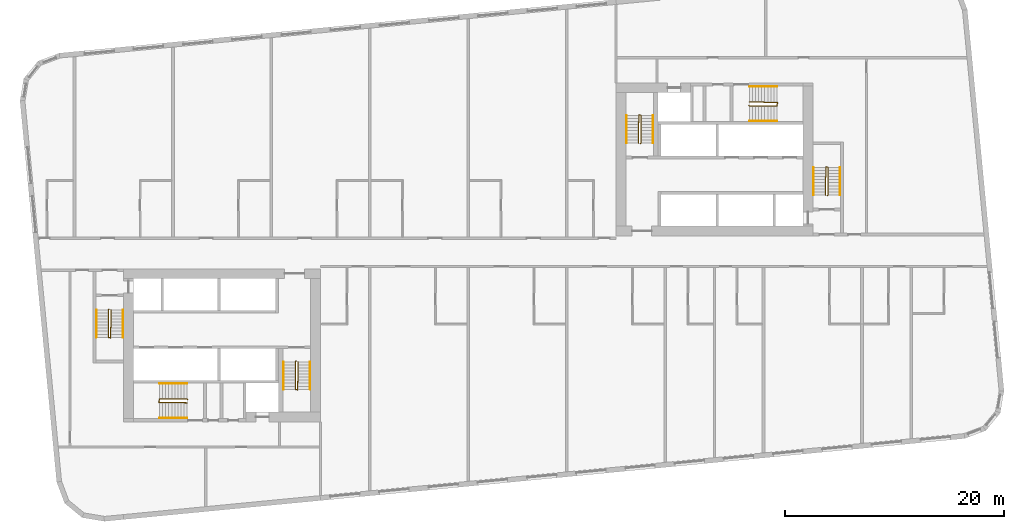
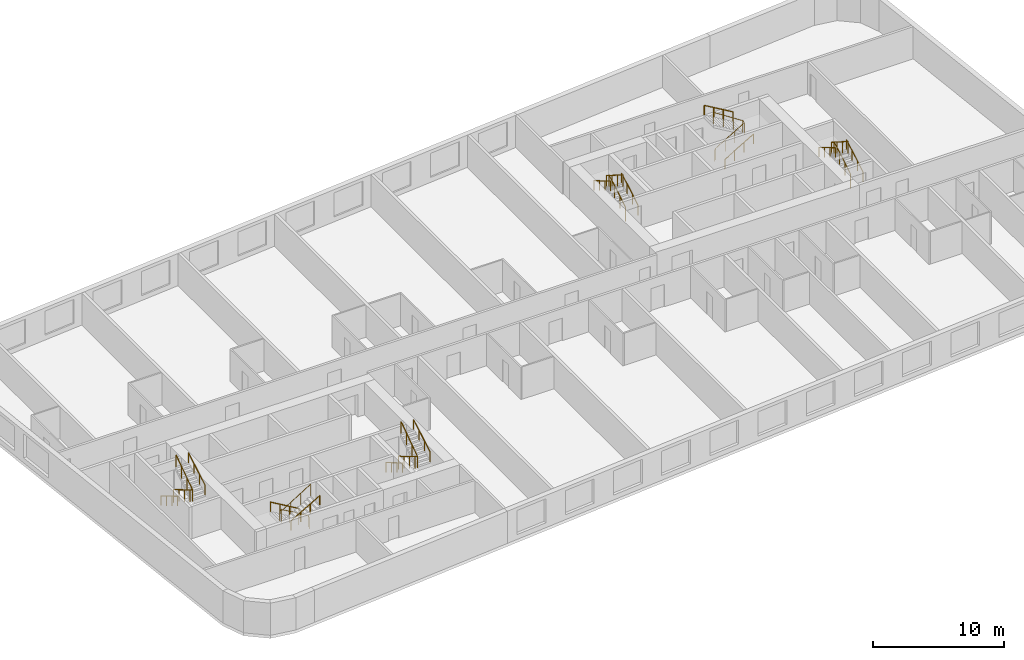
# One storey, part 12 of 12: 18 railings.
"""IFC4 building model written with IfcOpenShell, lengths in metres."""

from ifc_helpers import new_model, si_unit, direction, frame, origin, origin_2d, place, context, subcontext, project, spatial, circle, extrude, material, type_object, element, save


model = new_model("IFC4")

# Units and contexts
model_context = context("Model", 3, precision=1e-05, world=origin(), true_north=direction((0.0, 1.0)))
body_context = subcontext(model_context, "Body", "Model", "MODEL_VIEW")
ifc_project = project(units=[si_unit("LENGTHUNIT", "METRE"), si_unit("AREAUNIT", "SQUARE_METRE"), si_unit("VOLUMEUNIT", "CUBIC_METRE"), si_unit("PLANEANGLEUNIT", "RADIAN"), si_unit("MASSUNIT", "GRAM", prefix="KILO")], contexts=[model_context])

# Site, building, storey
site_placement = place(None, origin())
site = spatial("IfcSite", under=ifc_project, at=site_placement, CompositionType="ELEMENT")
building_placement = place(site_placement, origin())
building = spatial("IfcBuilding", under=site, at=building_placement, Name="Kajstack Hotel Tower", CompositionType="ELEMENT")
storey_placement = place(building_placement, frame((0.0, 0.0, 147.10009765625)))
storey = spatial("IfcBuildingStorey", under=building, at=storey_placement, Name="L34", CompositionType="ELEMENT", Elevation=147.10009765625)

# Railings
ifc_material = material(Name="Steel S355J2", Category="steel")
railing_type_1 = type_object("IfcRailingType", Name="Stair guard 1100", PredefinedType="GUARDRAIL", material=ifc_material)
railing_1_placement = place(storey_placement, frame((-32.85009765625, -5.199951171875, 0.0)))
element("IfcRailing", 1, at=railing_1_placement, inside=storey, type_object=railing_type_1, Name="L34 W1 stair guard 1", PredefinedType="GUARDRAIL", context=body_context, shape_type="SweptSolid", body=[
    extrude(circle(Radius=0.02392578125, at=origin_2d()), frame((0.0, 0.0, 1.076171875), z_axis=(-0.277797701265, -0.279159454702, 0.919183570361), x_axis=(0.708833529934, -0.705375805398, 0.0)), (0.0, 0.0, 1.0), 0.17919921875),
    extrude(circle(Radius=0.02392578125, at=origin_2d()), frame((-0.0498046875, -0.050048828125, 1.24072265625), z_axis=(0.0, -0.86152411907, 0.507716645641), x_axis=(1.0, 0.0, 0.0)), (0.0, 0.0, 1.0), 2.925048828125),
    extrude(circle(Radius=0.02392578125, at=origin_2d()), frame((-0.0498046875, -2.570068359375, 2.72607421875), z_axis=(0.970072785993, -0.242814311512, 0.0), x_axis=(0.242814311512, 0.970072785993, 0.0)), (0.0, 0.0, 1.0), 0.2060546875),
    extrude(circle(Radius=0.02392578125, at=origin_2d()), frame((0.150146484375, -2.6201171875, 2.72607421875), z_axis=(0.016385308676, 0.841405582595, 0.540155687962), x_axis=(-0.999810440751, 0.019470042781, 0.0)), (0.0, 0.0, 1.0), 3.054443359375),
    extrude(circle(Radius=0.02099609375, at=origin_2d()), origin(), (0.0, 0.0, 1.0), 1.052001953125),
    extrude(circle(Radius=0.02099609375, at=origin_2d()), frame((-0.0498046875, -0.050048828125, 0.164794921875)), (0.0, 0.0, 1.0), 1.052001953125),
    extrude(circle(Radius=0.02099609375, at=origin_2d()), frame((-0.0498046875, -0.89013671875, 0.659912109375)), (0.0, 0.0, 1.0), 1.052001953125),
    extrude(circle(Radius=0.02099609375, at=origin_2d()), frame((-0.0498046875, -1.72998046875, 1.15478515625)), (0.0, 0.0, 1.0), 1.052001953125),
    extrude(circle(Radius=0.02099609375, at=origin_2d()), frame((-0.0498046875, -2.570068359375, 1.64990234375)), (0.0, 0.0, 1.0), 1.052001953125),
    extrude(circle(Radius=0.02099609375, at=origin_2d()), frame((0.150146484375, -2.6201171875, 1.64990234375)), (0.0, 0.0, 1.0), 1.052001953125),
    extrude(circle(Radius=0.02099609375, at=origin_2d()), frame((0.166748046875, -1.763427734375, 2.199951171875)), (0.0, 0.0, 1.0), 1.052001953125),
    extrude(circle(Radius=0.02099609375, at=origin_2d()), frame((0.18359375, -0.90673828125, 2.749755859375)), (0.0, 0.0, 1.0), 1.052001953125),
    extrude(circle(Radius=0.02099609375, at=origin_2d()), frame((0.2001953125, -0.050048828125, 3.2998046875)), (0.0, 0.0, 1.0), 1.052001953125),
])
railing_2_placement = place(storey_placement, frame((-15.75, -9.949951171875, 0.0)))
element("IfcRailing", 2, at=railing_2_placement, inside=storey, type_object=railing_type_1, Name="L34 W2 stair guard 1", PredefinedType="GUARDRAIL", context=body_context, shape_type="SweptSolid", body=[
    extrude(circle(Radius=0.02392578125, at=origin_2d()), frame((0.0, 0.0, 1.076171875), z_axis=(-0.279053652268, -0.279053652268, 0.918835196492), x_axis=(0.707106781187, -0.707106781187, 0.0)), (0.0, 0.0, 1.0), 0.179443359375),
    extrude(circle(Radius=0.02392578125, at=origin_2d()), frame((-0.050048828125, -0.050048828125, 1.24072265625), z_axis=(0.0, -0.86152411907, 0.507716645641), x_axis=(1.0, 0.0, 0.0)), (0.0, 0.0, 1.0), 2.925048828125),
    extrude(circle(Radius=0.02392578125, at=origin_2d()), frame((-0.050048828125, -2.570068359375, 2.72607421875), z_axis=(0.970072785993, -0.242814311512, 0.0), x_axis=(0.242814311512, 0.970072785993, 0.0)), (0.0, 0.0, 1.0), 0.2060546875),
    extrude(circle(Radius=0.02392578125, at=origin_2d()), frame((0.14990234375, -2.6201171875, 2.72607421875), z_axis=(0.016385308676, 0.841405582595, 0.540155687962), x_axis=(-0.999810440751, 0.019470042781, 0.0)), (0.0, 0.0, 1.0), 3.054443359375),
    extrude(circle(Radius=0.02099609375, at=origin_2d()), origin(), (0.0, 0.0, 1.0), 1.052001953125),
    extrude(circle(Radius=0.02099609375, at=origin_2d()), frame((-0.050048828125, -0.050048828125, 0.164794921875)), (0.0, 0.0, 1.0), 1.052001953125),
    extrude(circle(Radius=0.02099609375, at=origin_2d()), frame((-0.050048828125, -0.89013671875, 0.659912109375)), (0.0, 0.0, 1.0), 1.052001953125),
    extrude(circle(Radius=0.02099609375, at=origin_2d()), frame((-0.050048828125, -1.72998046875, 1.15478515625)), (0.0, 0.0, 1.0), 1.052001953125),
    extrude(circle(Radius=0.02099609375, at=origin_2d()), frame((-0.050048828125, -2.570068359375, 1.64990234375)), (0.0, 0.0, 1.0), 1.052001953125),
    extrude(circle(Radius=0.02099609375, at=origin_2d()), frame((0.14990234375, -2.6201171875, 1.64990234375)), (0.0, 0.0, 1.0), 1.052001953125),
    extrude(circle(Radius=0.02099609375, at=origin_2d()), frame((0.16650390625, -1.763427734375, 2.199951171875)), (0.0, 0.0, 1.0), 1.052001953125),
    extrude(circle(Radius=0.02099609375, at=origin_2d()), frame((0.183349609375, -0.90673828125, 2.749755859375)), (0.0, 0.0, 1.0), 1.052001953125),
    extrude(circle(Radius=0.02099609375, at=origin_2d()), frame((0.199951171875, -0.050048828125, 3.2998046875)), (0.0, 0.0, 1.0), 1.052001953125),
])
railing_3_placement = place(storey_placement, frame((-25.64990234375, -13.449951171875, 0.0)))
element("IfcRailing", 3, at=railing_3_placement, inside=storey, type_object=railing_type_1, Name="L34 W3 stair guard 1", PredefinedType="GUARDRAIL", context=body_context, shape_type="SweptSolid", body=[
    extrude(circle(Radius=0.02392578125, at=origin_2d()), frame((0.0, 0.0, 1.076171875), z_axis=(-0.279053652268, 0.279053652268, 0.918835196492), x_axis=(-0.707106781187, -0.707106781187, 0.0)), (0.0, 0.0, 1.0), 0.179443359375),
    extrude(circle(Radius=0.02392578125, at=origin_2d()), frame((-0.050048828125, 0.050048828125, 1.24072265625), z_axis=(-0.86152411907, 0.0, 0.507716645641), x_axis=(0.0, -1.0, 0.0)), (0.0, 0.0, 1.0), 2.925048828125),
    extrude(circle(Radius=0.02392578125, at=origin_2d()), frame((-2.570068359375, 0.050048828125, 2.72607421875), z_axis=(-0.164529134168, -0.986372223864, 0.0), x_axis=(0.986372223864, -0.164529134168, 0.0)), (0.0, 0.0, 1.0), 0.30419921875),
    extrude(circle(Radius=0.02392578125, at=origin_2d()), frame((-2.6201171875, -0.25, 2.72607421875), z_axis=(0.841405582595, -0.016385308676, 0.540155687962), x_axis=(0.019470042781, 0.999810440751, 0.0)), (0.0, 0.0, 1.0), 3.054443359375),
    extrude(circle(Radius=0.02099609375, at=origin_2d()), origin(), (0.0, 0.0, 1.0), 1.052001953125),
    extrude(circle(Radius=0.02099609375, at=origin_2d()), frame((-0.050048828125, 0.050048828125, 0.164794921875)), (0.0, 0.0, 1.0), 1.052001953125),
    extrude(circle(Radius=0.02099609375, at=origin_2d()), frame((-0.89013671875, 0.050048828125, 0.659912109375)), (0.0, 0.0, 1.0), 1.052001953125),
    extrude(circle(Radius=0.02099609375, at=origin_2d()), frame((-1.72998046875, 0.050048828125, 1.15478515625)), (0.0, 0.0, 1.0), 1.052001953125),
    extrude(circle(Radius=0.02099609375, at=origin_2d()), frame((-2.570068359375, 0.050048828125, 1.64990234375)), (0.0, 0.0, 1.0), 1.052001953125),
    extrude(circle(Radius=0.02099609375, at=origin_2d()), frame((-2.6201171875, -0.25, 1.64990234375)), (0.0, 0.0, 1.0), 1.052001953125),
    extrude(circle(Radius=0.02099609375, at=origin_2d()), frame((-1.763427734375, -0.2666015625, 2.199951171875)), (0.0, 0.0, 1.0), 1.052001953125),
    extrude(circle(Radius=0.02099609375, at=origin_2d()), frame((-0.90673828125, -0.283447265625, 2.749755859375)), (0.0, 0.0, 1.0), 1.052001953125),
    extrude(circle(Radius=0.02099609375, at=origin_2d()), frame((-0.050048828125, -0.300048828125, 3.2998046875)), (0.0, 0.0, 1.0), 1.052001953125),
])
railing_4_placement = place(storey_placement, frame((32.85009765625, 5.199951171875, 0.0)))
element("IfcRailing", 4, at=railing_4_placement, inside=storey, type_object=railing_type_1, Name="L34 E1 stair guard 1", PredefinedType="GUARDRAIL", context=body_context, shape_type="SweptSolid", body=[
    extrude(circle(Radius=0.02392578125, at=origin_2d()), frame((0.0, 0.0, 1.076171875), z_axis=(0.277797701265, 0.279159454702, 0.919183570361), x_axis=(-0.708833529934, 0.705375805398, 0.0)), (0.0, 0.0, 1.0), 0.17919921875),
    extrude(circle(Radius=0.02392578125, at=origin_2d()), frame((0.0498046875, 0.050048828125, 1.24072265625), z_axis=(0.0, 0.86152411907, 0.507716645641), x_axis=(-1.0, 0.0, 0.0)), (0.0, 0.0, 1.0), 2.925048828125),
    extrude(circle(Radius=0.02392578125, at=origin_2d()), frame((0.0498046875, 2.570068359375, 2.72607421875), z_axis=(-0.970072785993, 0.242814311512, 0.0), x_axis=(-0.242814311512, -0.970072785993, 0.0)), (0.0, 0.0, 1.0), 0.2060546875),
    extrude(circle(Radius=0.02392578125, at=origin_2d()), frame((-0.150146484375, 2.6201171875, 2.72607421875), z_axis=(-0.016385308676, -0.841405582595, 0.540155687962), x_axis=(0.999810440751, -0.019470042781, 0.0)), (0.0, 0.0, 1.0), 3.054443359375),
    extrude(circle(Radius=0.02099609375, at=origin_2d()), origin(), (0.0, 0.0, 1.0), 1.052001953125),
    extrude(circle(Radius=0.02099609375, at=origin_2d()), frame((0.0498046875, 0.050048828125, 0.164794921875)), (0.0, 0.0, 1.0), 1.052001953125),
    extrude(circle(Radius=0.02099609375, at=origin_2d()), frame((0.0498046875, 0.89013671875, 0.659912109375)), (0.0, 0.0, 1.0), 1.052001953125),
    extrude(circle(Radius=0.02099609375, at=origin_2d()), frame((0.0498046875, 1.72998046875, 1.15478515625)), (0.0, 0.0, 1.0), 1.052001953125),
    extrude(circle(Radius=0.02099609375, at=origin_2d()), frame((0.0498046875, 2.570068359375, 1.64990234375)), (0.0, 0.0, 1.0), 1.052001953125),
    extrude(circle(Radius=0.02099609375, at=origin_2d()), frame((-0.150146484375, 2.6201171875, 1.64990234375)), (0.0, 0.0, 1.0), 1.052001953125),
    extrude(circle(Radius=0.02099609375, at=origin_2d()), frame((-0.166748046875, 1.763427734375, 2.199951171875)), (0.0, 0.0, 1.0), 1.052001953125),
    extrude(circle(Radius=0.02099609375, at=origin_2d()), frame((-0.18359375, 0.90673828125, 2.749755859375)), (0.0, 0.0, 1.0), 1.052001953125),
    extrude(circle(Radius=0.02099609375, at=origin_2d()), frame((-0.2001953125, 0.050048828125, 3.2998046875)), (0.0, 0.0, 1.0), 1.052001953125),
])
railing_5_placement = place(storey_placement, frame((15.75, 9.949951171875, 0.0)))
element("IfcRailing", 5, at=railing_5_placement, inside=storey, type_object=railing_type_1, Name="L34 E2 stair guard 1", PredefinedType="GUARDRAIL", context=body_context, shape_type="SweptSolid", body=[
    extrude(circle(Radius=0.02392578125, at=origin_2d()), frame((0.0, 0.0, 1.076171875), z_axis=(0.279053652268, 0.279053652268, 0.918835196492), x_axis=(-0.707106781187, 0.707106781187, 0.0)), (0.0, 0.0, 1.0), 0.179443359375),
    extrude(circle(Radius=0.02392578125, at=origin_2d()), frame((0.050048828125, 0.050048828125, 1.24072265625), z_axis=(0.0, 0.86152411907, 0.507716645641), x_axis=(-1.0, 0.0, 0.0)), (0.0, 0.0, 1.0), 2.925048828125),
    extrude(circle(Radius=0.02392578125, at=origin_2d()), frame((0.050048828125, 2.570068359375, 2.72607421875), z_axis=(-0.970072785993, 0.242814311512, 0.0), x_axis=(-0.242814311512, -0.970072785993, 0.0)), (0.0, 0.0, 1.0), 0.2060546875),
    extrude(circle(Radius=0.02392578125, at=origin_2d()), frame((-0.14990234375, 2.6201171875, 2.72607421875), z_axis=(-0.016385308676, -0.841405582595, 0.540155687962), x_axis=(0.999810440751, -0.019470042781, 0.0)), (0.0, 0.0, 1.0), 3.054443359375),
    extrude(circle(Radius=0.02099609375, at=origin_2d()), origin(), (0.0, 0.0, 1.0), 1.052001953125),
    extrude(circle(Radius=0.02099609375, at=origin_2d()), frame((0.050048828125, 0.050048828125, 0.164794921875)), (0.0, 0.0, 1.0), 1.052001953125),
    extrude(circle(Radius=0.02099609375, at=origin_2d()), frame((0.050048828125, 0.89013671875, 0.659912109375)), (0.0, 0.0, 1.0), 1.052001953125),
    extrude(circle(Radius=0.02099609375, at=origin_2d()), frame((0.050048828125, 1.72998046875, 1.15478515625)), (0.0, 0.0, 1.0), 1.052001953125),
    extrude(circle(Radius=0.02099609375, at=origin_2d()), frame((0.050048828125, 2.570068359375, 1.64990234375)), (0.0, 0.0, 1.0), 1.052001953125),
    extrude(circle(Radius=0.02099609375, at=origin_2d()), frame((-0.14990234375, 2.6201171875, 1.64990234375)), (0.0, 0.0, 1.0), 1.052001953125),
    extrude(circle(Radius=0.02099609375, at=origin_2d()), frame((-0.16650390625, 1.763427734375, 2.199951171875)), (0.0, 0.0, 1.0), 1.052001953125),
    extrude(circle(Radius=0.02099609375, at=origin_2d()), frame((-0.183349609375, 0.90673828125, 2.749755859375)), (0.0, 0.0, 1.0), 1.052001953125),
    extrude(circle(Radius=0.02099609375, at=origin_2d()), frame((-0.199951171875, 0.050048828125, 3.2998046875)), (0.0, 0.0, 1.0), 1.052001953125),
])
railing_6_placement = place(storey_placement, frame((25.64990234375, 13.449951171875, 0.0)))
element("IfcRailing", 6, at=railing_6_placement, inside=storey, type_object=railing_type_1, Name="L34 E3 stair guard 1", PredefinedType="GUARDRAIL", context=body_context, shape_type="SweptSolid", body=[
    extrude(circle(Radius=0.02392578125, at=origin_2d()), frame((0.0, 0.0, 1.076171875), z_axis=(0.279053652268, -0.279053652268, 0.918835196492), x_axis=(0.707106781187, 0.707106781187, 0.0)), (0.0, 0.0, 1.0), 0.179443359375),
    extrude(circle(Radius=0.02392578125, at=origin_2d()), frame((0.050048828125, -0.050048828125, 1.24072265625), z_axis=(0.86152411907, 0.0, 0.507716645641), x_axis=(0.0, 1.0, 0.0)), (0.0, 0.0, 1.0), 2.925048828125),
    extrude(circle(Radius=0.02392578125, at=origin_2d()), frame((2.570068359375, -0.050048828125, 2.72607421875), z_axis=(0.164529134168, 0.986372223864, 0.0), x_axis=(-0.986372223864, 0.164529134168, 0.0)), (0.0, 0.0, 1.0), 0.30419921875),
    extrude(circle(Radius=0.02392578125, at=origin_2d()), frame((2.6201171875, 0.25, 2.72607421875), z_axis=(-0.841405582595, 0.016385308676, 0.540155687962), x_axis=(-0.019470042781, -0.999810440751, 0.0)), (0.0, 0.0, 1.0), 3.054443359375),
    extrude(circle(Radius=0.02099609375, at=origin_2d()), origin(), (0.0, 0.0, 1.0), 1.052001953125),
    extrude(circle(Radius=0.02099609375, at=origin_2d()), frame((0.050048828125, -0.050048828125, 0.164794921875)), (0.0, 0.0, 1.0), 1.052001953125),
    extrude(circle(Radius=0.02099609375, at=origin_2d()), frame((0.89013671875, -0.050048828125, 0.659912109375)), (0.0, 0.0, 1.0), 1.052001953125),
    extrude(circle(Radius=0.02099609375, at=origin_2d()), frame((1.72998046875, -0.050048828125, 1.15478515625)), (0.0, 0.0, 1.0), 1.052001953125),
    extrude(circle(Radius=0.02099609375, at=origin_2d()), frame((2.570068359375, -0.050048828125, 1.64990234375)), (0.0, 0.0, 1.0), 1.052001953125),
    extrude(circle(Radius=0.02099609375, at=origin_2d()), frame((2.6201171875, 0.25, 1.64990234375)), (0.0, 0.0, 1.0), 1.052001953125),
    extrude(circle(Radius=0.02099609375, at=origin_2d()), frame((1.763427734375, 0.2666015625, 2.199951171875)), (0.0, 0.0, 1.0), 1.052001953125),
    extrude(circle(Radius=0.02099609375, at=origin_2d()), frame((0.90673828125, 0.283447265625, 2.749755859375)), (0.0, 0.0, 1.0), 1.052001953125),
    extrude(circle(Radius=0.02099609375, at=origin_2d()), frame((0.050048828125, 0.300048828125, 3.2998046875)), (0.0, 0.0, 1.0), 1.052001953125),
])
railing_type_2 = type_object("IfcRailingType", Name="Stair handrail 900", PredefinedType="HANDRAIL", material=ifc_material)
railing_7_placement = place(storey_placement, frame((-34.0, -5.25, 0.164794921875)))
element("IfcRailing", 7, at=railing_7_placement, inside=storey, type_object=railing_type_2, Name="L34 W1 stair handrail 1", PredefinedType="HANDRAIL", context=body_context, shape_type="SweptSolid", body=[
    extrude(circle(Radius=0.02392578125, at=origin_2d()), frame((0.0, 0.0, 0.8759765625), z_axis=(0.0, -0.86152411907, 0.507716645641), x_axis=(1.0, 0.0, 0.0)), (0.0, 0.0, 1.0), 2.925048828125),
    extrude(circle(Radius=0.02099609375, at=origin_2d()), origin(), (0.0, 0.0, 1.0), 0.851806640625),
    extrude(circle(Radius=0.02099609375, at=origin_2d()), frame((0.0, -0.840087890625, 0.4951171875)), (0.0, 0.0, 1.0), 0.851806640625),
    extrude(circle(Radius=0.02099609375, at=origin_2d()), frame((0.0, -1.679931640625, 0.989990234375)), (0.0, 0.0, 1.0), 0.851806640625),
    extrude(circle(Radius=0.02099609375, at=origin_2d()), frame((0.0, -2.52001953125, 1.485107421875)), (0.0, 0.0, 1.0), 0.851806640625),
])
railing_8_placement = place(storey_placement, frame((-31.550048828125, -7.77001953125, 1.81494140625)))
element("IfcRailing", 8, at=railing_8_placement, inside=storey, type_object=railing_type_2, Name="L34 W1 stair handrail 2", PredefinedType="HANDRAIL", context=body_context, shape_type="SweptSolid", body=[
    extrude(circle(Radius=0.02392578125, at=origin_2d()), frame((0.0, 0.0, 0.8759765625), z_axis=(0.0, 0.861560626758, 0.507654692109), x_axis=(-1.0, 0.0, 0.0)), (0.0, 0.0, 1.0), 2.925048828125),
    extrude(circle(Radius=0.02099609375, at=origin_2d()), origin(), (0.0, 0.0, 1.0), 0.851806640625),
    extrude(circle(Radius=0.02099609375, at=origin_2d()), frame((0.0, 0.840087890625, 0.494873046875)), (0.0, 0.0, 1.0), 0.851806640625),
    extrude(circle(Radius=0.02099609375, at=origin_2d()), frame((0.0, 1.679931640625, 0.989990234375)), (0.0, 0.0, 1.0), 0.851806640625),
    extrude(circle(Radius=0.02099609375, at=origin_2d()), frame((0.0, 2.52001953125, 1.48486328125)), (0.0, 0.0, 1.0), 0.851806640625),
])
railing_9_placement = place(storey_placement, frame((-16.89990234375, -10.0, 0.164794921875)))
element("IfcRailing", 9, at=railing_9_placement, inside=storey, type_object=railing_type_2, Name="L34 W2 stair handrail 1", PredefinedType="HANDRAIL", context=body_context, shape_type="SweptSolid", body=[
    extrude(circle(Radius=0.02392578125, at=origin_2d()), frame((0.0, 0.0, 0.8759765625), z_axis=(0.0, -0.86152411907, 0.507716645641), x_axis=(1.0, 0.0, 0.0)), (0.0, 0.0, 1.0), 2.925048828125),
    extrude(circle(Radius=0.02099609375, at=origin_2d()), origin(), (0.0, 0.0, 1.0), 0.851806640625),
    extrude(circle(Radius=0.02099609375, at=origin_2d()), frame((0.0, -0.840087890625, 0.4951171875)), (0.0, 0.0, 1.0), 0.851806640625),
    extrude(circle(Radius=0.02099609375, at=origin_2d()), frame((0.0, -1.679931640625, 0.989990234375)), (0.0, 0.0, 1.0), 0.851806640625),
    extrude(circle(Radius=0.02099609375, at=origin_2d()), frame((0.0, -2.52001953125, 1.485107421875)), (0.0, 0.0, 1.0), 0.851806640625),
])
railing_10_placement = place(storey_placement, frame((-14.449951171875, -12.52001953125, 1.81494140625)))
element("IfcRailing", 10, at=railing_10_placement, inside=storey, type_object=railing_type_2, Name="L34 W2 stair handrail 2", PredefinedType="HANDRAIL", context=body_context, shape_type="SweptSolid", body=[
    extrude(circle(Radius=0.02392578125, at=origin_2d()), frame((0.0, 0.0, 0.8759765625), z_axis=(0.0, 0.861560626758, 0.507654692109), x_axis=(-1.0, 0.0, 0.0)), (0.0, 0.0, 1.0), 2.925048828125),
    extrude(circle(Radius=0.02099609375, at=origin_2d()), origin(), (0.0, 0.0, 1.0), 0.851806640625),
    extrude(circle(Radius=0.02099609375, at=origin_2d()), frame((0.0, 0.840087890625, 0.494873046875)), (0.0, 0.0, 1.0), 0.851806640625),
    extrude(circle(Radius=0.02099609375, at=origin_2d()), frame((0.0, 1.679931640625, 0.989990234375)), (0.0, 0.0, 1.0), 0.851806640625),
    extrude(circle(Radius=0.02099609375, at=origin_2d()), frame((0.0, 2.52001953125, 1.48486328125)), (0.0, 0.0, 1.0), 0.851806640625),
])
railing_11_placement = place(storey_placement, frame((-25.699951171875, -12.0, 0.164794921875)))
element("IfcRailing", 11, at=railing_11_placement, inside=storey, type_object=railing_type_2, Name="L34 W3 stair handrail 1", PredefinedType="HANDRAIL", context=body_context, shape_type="SweptSolid", body=[
    extrude(circle(Radius=0.02392578125, at=origin_2d()), frame((0.0, 0.0, 0.8759765625), z_axis=(-0.86152411907, 0.0, 0.507716645641), x_axis=(0.0, -1.0, 0.0)), (0.0, 0.0, 1.0), 2.925048828125),
    extrude(circle(Radius=0.02099609375, at=origin_2d()), origin(), (0.0, 0.0, 1.0), 0.851806640625),
    extrude(circle(Radius=0.02099609375, at=origin_2d()), frame((-0.840087890625, 0.0, 0.4951171875)), (0.0, 0.0, 1.0), 0.851806640625),
    extrude(circle(Radius=0.02099609375, at=origin_2d()), frame((-1.679931640625, 0.0, 0.989990234375)), (0.0, 0.0, 1.0), 0.851806640625),
    extrude(circle(Radius=0.02099609375, at=origin_2d()), frame((-2.52001953125, 0.0, 1.485107421875)), (0.0, 0.0, 1.0), 0.851806640625),
])
railing_12_placement = place(storey_placement, frame((-28.219970703125, -15.14990234375, 1.81494140625)))
element("IfcRailing", 12, at=railing_12_placement, inside=storey, type_object=railing_type_2, Name="L34 W3 stair handrail 2", PredefinedType="HANDRAIL", context=body_context, shape_type="SweptSolid", body=[
    extrude(circle(Radius=0.02392578125, at=origin_2d()), frame((0.0, 0.0, 0.8759765625), z_axis=(0.861560626758, 0.0, 0.507654692109), x_axis=(0.0, 1.0, 0.0)), (0.0, 0.0, 1.0), 2.925048828125),
    extrude(circle(Radius=0.02099609375, at=origin_2d()), origin(), (0.0, 0.0, 1.0), 0.851806640625),
    extrude(circle(Radius=0.02099609375, at=origin_2d()), frame((0.840087890625, 0.0, 0.494873046875)), (0.0, 0.0, 1.0), 0.851806640625),
    extrude(circle(Radius=0.02099609375, at=origin_2d()), frame((1.679931640625, 0.0, 0.989990234375)), (0.0, 0.0, 1.0), 0.851806640625),
    extrude(circle(Radius=0.02099609375, at=origin_2d()), frame((2.52001953125, 0.0, 1.48486328125)), (0.0, 0.0, 1.0), 0.851806640625),
])
railing_13_placement = place(storey_placement, frame((34.0, 5.25, 0.164794921875)))
element("IfcRailing", 13, at=railing_13_placement, inside=storey, type_object=railing_type_2, Name="L34 E1 stair handrail 1", PredefinedType="HANDRAIL", context=body_context, shape_type="SweptSolid", body=[
    extrude(circle(Radius=0.02392578125, at=origin_2d()), frame((0.0, 0.0, 0.8759765625), z_axis=(0.0, 0.86152411907, 0.507716645641), x_axis=(-1.0, 0.0, 0.0)), (0.0, 0.0, 1.0), 2.925048828125),
    extrude(circle(Radius=0.02099609375, at=origin_2d()), origin(), (0.0, 0.0, 1.0), 0.851806640625),
    extrude(circle(Radius=0.02099609375, at=origin_2d()), frame((0.0, 0.840087890625, 0.4951171875)), (0.0, 0.0, 1.0), 0.851806640625),
    extrude(circle(Radius=0.02099609375, at=origin_2d()), frame((0.0, 1.679931640625, 0.989990234375)), (0.0, 0.0, 1.0), 0.851806640625),
    extrude(circle(Radius=0.02099609375, at=origin_2d()), frame((0.0, 2.52001953125, 1.485107421875)), (0.0, 0.0, 1.0), 0.851806640625),
])
railing_14_placement = place(storey_placement, frame((31.550048828125, 7.77001953125, 1.81494140625)))
element("IfcRailing", 14, at=railing_14_placement, inside=storey, type_object=railing_type_2, Name="L34 E1 stair handrail 2", PredefinedType="HANDRAIL", context=body_context, shape_type="SweptSolid", body=[
    extrude(circle(Radius=0.02392578125, at=origin_2d()), frame((0.0, 0.0, 0.8759765625), z_axis=(0.0, -0.861560626758, 0.507654692109), x_axis=(1.0, 0.0, 0.0)), (0.0, 0.0, 1.0), 2.925048828125),
    extrude(circle(Radius=0.02099609375, at=origin_2d()), origin(), (0.0, 0.0, 1.0), 0.851806640625),
    extrude(circle(Radius=0.02099609375, at=origin_2d()), frame((0.0, -0.840087890625, 0.494873046875)), (0.0, 0.0, 1.0), 0.851806640625),
    extrude(circle(Radius=0.02099609375, at=origin_2d()), frame((0.0, -1.679931640625, 0.989990234375)), (0.0, 0.0, 1.0), 0.851806640625),
    extrude(circle(Radius=0.02099609375, at=origin_2d()), frame((0.0, -2.52001953125, 1.48486328125)), (0.0, 0.0, 1.0), 0.851806640625),
])
railing_15_placement = place(storey_placement, frame((16.89990234375, 10.0, 0.164794921875)))
element("IfcRailing", 15, at=railing_15_placement, inside=storey, type_object=railing_type_2, Name="L34 E2 stair handrail 1", PredefinedType="HANDRAIL", context=body_context, shape_type="SweptSolid", body=[
    extrude(circle(Radius=0.02392578125, at=origin_2d()), frame((0.0, 0.0, 0.8759765625), z_axis=(0.0, 0.86152411907, 0.507716645641), x_axis=(-1.0, 0.0, 0.0)), (0.0, 0.0, 1.0), 2.925048828125),
    extrude(circle(Radius=0.02099609375, at=origin_2d()), origin(), (0.0, 0.0, 1.0), 0.851806640625),
    extrude(circle(Radius=0.02099609375, at=origin_2d()), frame((0.0, 0.840087890625, 0.4951171875)), (0.0, 0.0, 1.0), 0.851806640625),
    extrude(circle(Radius=0.02099609375, at=origin_2d()), frame((0.0, 1.679931640625, 0.989990234375)), (0.0, 0.0, 1.0), 0.851806640625),
    extrude(circle(Radius=0.02099609375, at=origin_2d()), frame((0.0, 2.52001953125, 1.485107421875)), (0.0, 0.0, 1.0), 0.851806640625),
])
railing_16_placement = place(storey_placement, frame((14.449951171875, 12.52001953125, 1.81494140625)))
element("IfcRailing", 16, at=railing_16_placement, inside=storey, type_object=railing_type_2, Name="L34 E2 stair handrail 2", PredefinedType="HANDRAIL", context=body_context, shape_type="SweptSolid", body=[
    extrude(circle(Radius=0.02392578125, at=origin_2d()), frame((0.0, 0.0, 0.8759765625), z_axis=(0.0, -0.861560626758, 0.507654692109), x_axis=(1.0, 0.0, 0.0)), (0.0, 0.0, 1.0), 2.925048828125),
    extrude(circle(Radius=0.02099609375, at=origin_2d()), origin(), (0.0, 0.0, 1.0), 0.851806640625),
    extrude(circle(Radius=0.02099609375, at=origin_2d()), frame((0.0, -0.840087890625, 0.494873046875)), (0.0, 0.0, 1.0), 0.851806640625),
    extrude(circle(Radius=0.02099609375, at=origin_2d()), frame((0.0, -1.679931640625, 0.989990234375)), (0.0, 0.0, 1.0), 0.851806640625),
    extrude(circle(Radius=0.02099609375, at=origin_2d()), frame((0.0, -2.52001953125, 1.48486328125)), (0.0, 0.0, 1.0), 0.851806640625),
])
railing_17_placement = place(storey_placement, frame((25.699951171875, 12.0, 0.164794921875)))
element("IfcRailing", 17, at=railing_17_placement, inside=storey, type_object=railing_type_2, Name="L34 E3 stair handrail 1", PredefinedType="HANDRAIL", context=body_context, shape_type="SweptSolid", body=[
    extrude(circle(Radius=0.02392578125, at=origin_2d()), frame((0.0, 0.0, 0.8759765625), z_axis=(0.86152411907, 0.0, 0.507716645641), x_axis=(0.0, 1.0, 0.0)), (0.0, 0.0, 1.0), 2.925048828125),
    extrude(circle(Radius=0.02099609375, at=origin_2d()), origin(), (0.0, 0.0, 1.0), 0.851806640625),
    extrude(circle(Radius=0.02099609375, at=origin_2d()), frame((0.840087890625, 0.0, 0.4951171875)), (0.0, 0.0, 1.0), 0.851806640625),
    extrude(circle(Radius=0.02099609375, at=origin_2d()), frame((1.679931640625, 0.0, 0.989990234375)), (0.0, 0.0, 1.0), 0.851806640625),
    extrude(circle(Radius=0.02099609375, at=origin_2d()), frame((2.52001953125, 0.0, 1.485107421875)), (0.0, 0.0, 1.0), 0.851806640625),
])
railing_18_placement = place(storey_placement, frame((28.219970703125, 15.14990234375, 1.81494140625)))
element("IfcRailing", 18, at=railing_18_placement, inside=storey, type_object=railing_type_2, Name="L34 E3 stair handrail 2", PredefinedType="HANDRAIL", context=body_context, shape_type="SweptSolid", body=[
    extrude(circle(Radius=0.02392578125, at=origin_2d()), frame((0.0, 0.0, 0.8759765625), z_axis=(-0.861560626758, 0.0, 0.507654692109), x_axis=(0.0, -1.0, 0.0)), (0.0, 0.0, 1.0), 2.925048828125),
    extrude(circle(Radius=0.02099609375, at=origin_2d()), origin(), (0.0, 0.0, 1.0), 0.851806640625),
    extrude(circle(Radius=0.02099609375, at=origin_2d()), frame((-0.840087890625, 0.0, 0.494873046875)), (0.0, 0.0, 1.0), 0.851806640625),
    extrude(circle(Radius=0.02099609375, at=origin_2d()), frame((-1.679931640625, 0.0, 0.989990234375)), (0.0, 0.0, 1.0), 0.851806640625),
    extrude(circle(Radius=0.02099609375, at=origin_2d()), frame((-2.52001953125, 0.0, 1.48486328125)), (0.0, 0.0, 1.0), 0.851806640625),
])

save(model, "model.ifc")
